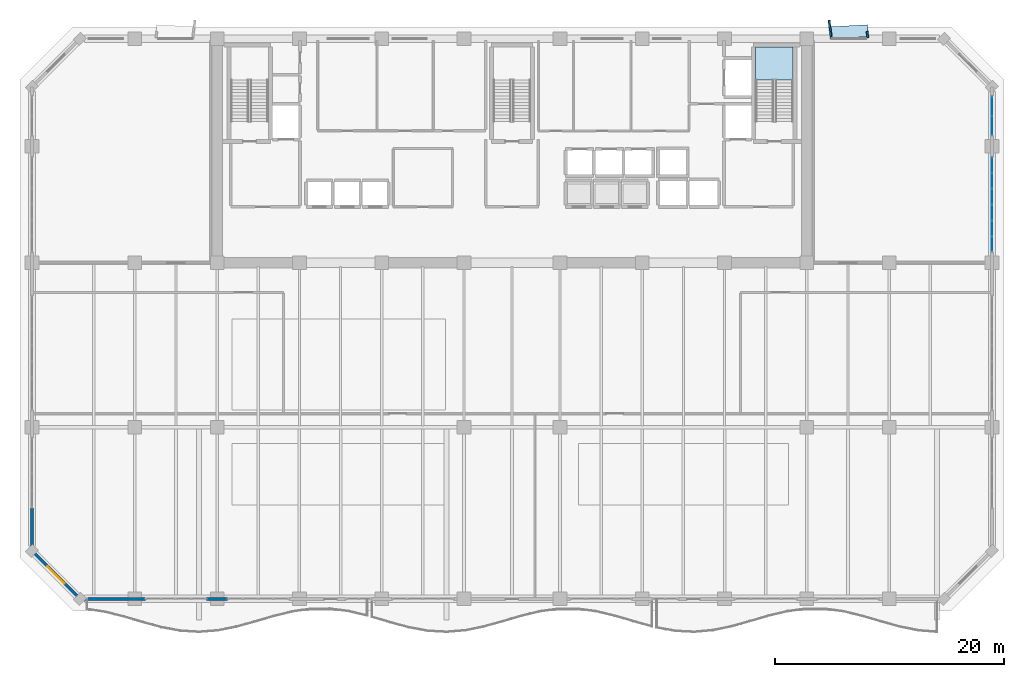
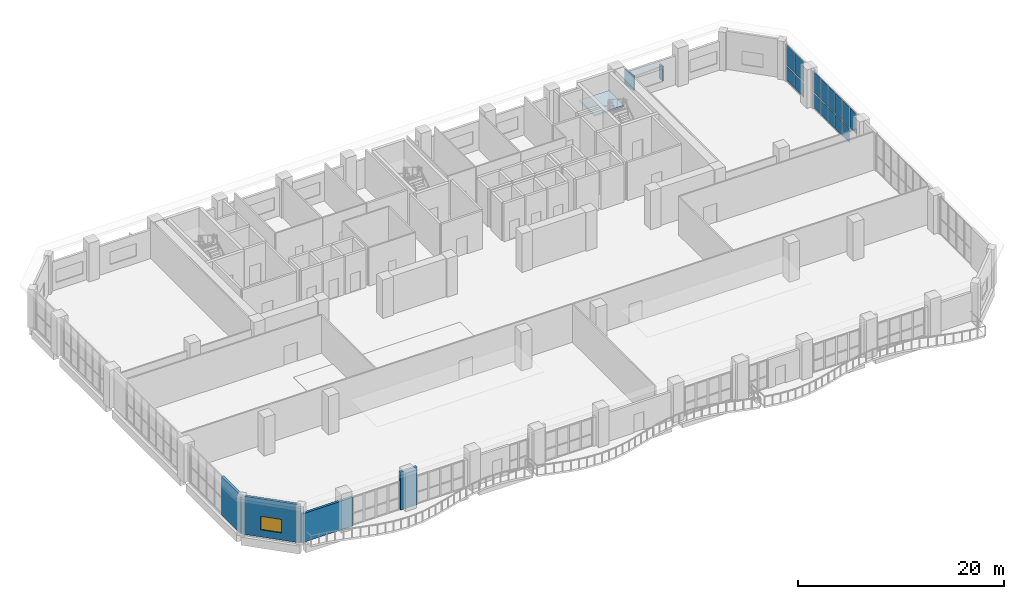
# One storey, part 27 of 37: 18 plates, 4 walls, 1 slab, 1 window, 1 opening, 3 elements without a shape of their own.
"""IFC4 building model written with IfcOpenShell, lengths in metres."""

import ifcopenshell
import ifcopenshell.guid

model = None  # the IFC model being written
_history = None  # IfcOwnerHistory: only IFC2X3 demands one
_inside = {}  # id of a spatial element -> (the spatial element, [elements in it])
_under = {}  # id of a project, library or spatial element -> (it, [spatial elements below it])
_declared = {}  # id of a project -> (the project, [libraries it declares])
_typed = {}  # id of a type object -> (the type object, [elements of that type])
_made_of = {}  # id of a material, layer set ... -> (it, [elements and type objects made of it])


def new_model(schema):
    """Start an empty IFC model of exactly this schema.

    Asked for "IFC4X3", IfcOpenShell would pick the latest addendum, in which some entities
    have other attributes; the version numbers below select the first issue.
    IFC2X3 requires an IfcOwnerHistory on every rooted entity: one is made here for all.
    """
    global model, _history
    if schema == "IFC4X3":
        model = ifcopenshell.file(schema_version=(4, 3, 0, 0))
    else:
        model = ifcopenshell.file(schema=schema)
    _inside.clear()
    _under.clear()
    _declared.clear()
    _typed.clear()
    _made_of.clear()
    _history = None
    if model.schema == "IFC2X3":
        org = make("IfcOrganization", Name="unknown")
        user = make(
            "IfcPersonAndOrganization",
            ThePerson=make("IfcPerson", FamilyName="unknown"),
            TheOrganization=org,
        )
        app = make(
            "IfcApplication",
            ApplicationDeveloper=org,
            Version="unknown",
            ApplicationFullName="unknown",
            ApplicationIdentifier="unknown",
        )
        _history = make(
            "IfcOwnerHistory",
            OwningUser=user,
            OwningApplication=app,
            ChangeAction="ADDED",
            CreationDate=0,
        )
    return model


def make(cls, **values):
    """One entity of the class cls with the attributes given. An attribute that is None is left unset."""
    return model.create_entity(
        cls, **{name: value for name, value in values.items() if value is not None}
    )


def rooted(cls, **values):
    """An entity with a GlobalId (a new one), such as an element, a storey or a relation."""
    return make(cls, GlobalId=ifcopenshell.guid.new(), OwnerHistory=_history, **values)


def si_unit(unit_type, name, prefix=None):
    """IfcSIUnit, for example si_unit("LENGTHUNIT", "METRE", prefix="MILLI")."""
    return make("IfcSIUnit", UnitType=unit_type, Prefix=prefix, Name=name)


def assignment(units):
    """IfcUnitAssignment: the units of a project."""
    return None if units is None else make("IfcUnitAssignment", Units=units)


def point(xyz):
    """IfcCartesianPoint."""
    return None if xyz is None else make("IfcCartesianPoint", Coordinates=xyz)


def direction(xyz):
    """IfcDirection."""
    return None if xyz is None else make("IfcDirection", DirectionRatios=xyz)


def frame(location, z_axis=None, x_axis=None):
    """IfcAxis2Placement3D, a coordinate frame: its origin and axes. An axis left out is left unset."""
    return make(
        "IfcAxis2Placement3D",
        Location=point(location),
        Axis=direction(z_axis),
        RefDirection=direction(x_axis),
    )


def frame_2d(location, x_axis=None):
    """IfcAxis2Placement2D, a coordinate frame in the plane: its origin and x axis."""
    return make(
        "IfcAxis2Placement2D", Location=point(location), RefDirection=direction(x_axis)
    )


def origin():
    """The frame at (0, 0, 0) with its axes left unset."""
    return frame((0.0, 0.0, 0.0))


def origin_2d():
    """The frame at (0, 0) in the plane with its x axis left unset."""
    return frame_2d((0.0, 0.0))


def place(relative_to, where):
    """IfcLocalPlacement: puts the frame where relative to a parent placement (None: the world)."""
    return make(
        "IfcLocalPlacement", PlacementRelTo=relative_to, RelativePlacement=where
    )


def context(
    kind, dimensions, precision=None, world=None, true_north=None, identifier=None
):
    """IfcGeometricRepresentationContext, for example the 3D "Model" context."""
    return make(
        "IfcGeometricRepresentationContext",
        ContextIdentifier=identifier,
        ContextType=kind,
        CoordinateSpaceDimension=dimensions,
        Precision=precision,
        WorldCoordinateSystem=world,
        TrueNorth=true_north,
    )


def subcontext(parent, identifier, kind, view, scale=None):
    """IfcGeometricRepresentationSubContext, for example "Body" below "Model"."""
    return make(
        "IfcGeometricRepresentationSubContext",
        ContextIdentifier=identifier,
        ContextType=kind,
        ParentContext=parent,
        TargetScale=scale,
        TargetView=view,
    )


def project(units=None, contexts=None):
    """IfcProject with its units and contexts."""
    return rooted(
        "IfcProject",
        Name="project",
        RepresentationContexts=contexts,
        UnitsInContext=assignment(units),
    )


def spatial(cls, under=None, at=None, **own):
    """A site, building, storey or space (cls), placed at a placement, below another one or the project."""
    s = rooted(cls, ObjectPlacement=at, **own)
    if under is not None:
        _under.setdefault(under.id(), (under, []))[1].append(s)
    return s


def polyline(points):
    """IfcPolyline through the points."""
    return make("IfcPolyline", Points=[point(p) for p in points])


def profile(cls, at=None, kind="AREA", **sizes):
    """A parametric profile (cls). Its sizes go by their IFC names, for example OverallWidth=200.0."""
    return make(cls, ProfileType=kind, Position=at, **sizes)


def rectangle(**sizes):
    """IfcRectangleProfileDef."""
    return profile("IfcRectangleProfileDef", **sizes)


def outline(outer, holes=None, kind="AREA"):
    """IfcArbitraryClosedProfileDef: a profile drawn as a closed curve; with holes, ...WithVoids."""
    if holes is None:
        return make("IfcArbitraryClosedProfileDef", ProfileType=kind, OuterCurve=outer)
    return make(
        "IfcArbitraryProfileDefWithVoids",
        ProfileType=kind,
        OuterCurve=outer,
        InnerCurves=holes,
    )


def extrude(swept, where, along, depth):
    """IfcExtrudedAreaSolid: the profile swept, set in the frame where, extruded along a direction by depth."""
    return make(
        "IfcExtrudedAreaSolid",
        SweptArea=swept,
        Position=where,
        ExtrudedDirection=direction(along),
        Depth=depth,
    )


def shape(context_of_items, identifier, shape_type, items):
    """IfcShapeRepresentation: the items that make up one representation, for example the "Body"."""
    return make(
        "IfcShapeRepresentation",
        ContextOfItems=context_of_items,
        RepresentationIdentifier=identifier,
        RepresentationType=shape_type,
        Items=items,
    )


def material(Name=None, Category=None):
    """IfcMaterial."""
    return make("IfcMaterial", Name=Name, Category=Category)


def layer(
    of_material, thickness, ventilated=None, Name=None, Category=None, Priority=None
):
    """IfcMaterialLayer: one layer of a wall or slab, of a material (None: an air gap)."""
    return make(
        "IfcMaterialLayer",
        Material=of_material,
        LayerThickness=thickness,
        IsVentilated=ventilated,
        Name=Name,
        Category=Category,
        Priority=Priority,
    )


def layer_set(layers, Name=None):
    """IfcMaterialLayerSet."""
    return make("IfcMaterialLayerSet", MaterialLayers=layers, LayerSetName=Name)


def made_of(thing, what):
    """Note that an element or type object is made of a material, layer set ...; save() writes the relation."""
    if what is not None:
        _made_of.setdefault(what.id(), (what, []))[1].append(thing)
    return thing


def type_object(cls, material=None, **own):
    """A type object (cls), such as IfcWallType, which elements share."""
    return made_of(rooted(cls, **own), material)


def element(
    cls,
    number,
    at=None,
    inside=None,
    cuts=None,
    type_object=None,
    material=None,
    context=None,
    identifier="Body",
    shape_type=None,
    held_by="IfcProductDefinitionShape",
    body=None,
    shapes=None,
    **own,
):
    """One element of the class cls, such as IfcWall. Its Tag is "e" and its number.

    at: its placement. inside: the storey or other place that contains it. cuts: it is an
    opening in that element (IfcRelVoidsElement). A single representation is given by context,
    identifier, shape_type and body (its items); several are given by shapes. held_by: the class
    of the entity that holds the representations. save() writes the other relations.
    """
    e = rooted(cls, Tag="e%d" % number, ObjectPlacement=at, **own)
    if body is not None:
        shapes = [shape(context, identifier, shape_type, body)]
    if shapes is not None:
        e.Representation = make(held_by, Representations=shapes)
    if inside is not None:
        _inside.setdefault(inside.id(), (inside, []))[1].append(e)
    if cuts is not None:
        rooted(
            "IfcRelVoidsElement", RelatingBuildingElement=cuts, RelatedOpeningElement=e
        )
    if type_object is not None:
        _typed.setdefault(type_object.id(), (type_object, []))[1].append(e)
    return made_of(e, material)


def fill(opening, filler):
    """IfcRelFillsElement: the door or window that sits in an opening."""
    return rooted(
        "IfcRelFillsElement",
        RelatingOpeningElement=opening,
        RelatedBuildingElement=filler,
    )


def aggregate(whole, parts):
    """IfcRelAggregates: a whole, such as a stair, and the parts it consists of."""
    return rooted("IfcRelAggregates", RelatingObject=whole, RelatedObjects=parts)


def save(model, path):
    """Write the relations noted so far, then the file.

    IfcRelAggregates (storeys below a building ...), IfcRelContainedInSpatialStructure (elements
    in a storey), IfcRelDefinesByType, IfcRelAssociatesMaterial and IfcRelDeclares: one each for
    every whole, place, type object, material and project.
    """
    for whole, parts in _under.values():
        aggregate(whole, parts)
    for where, things in _inside.values():
        rooted(
            "IfcRelContainedInSpatialStructure",
            RelatedElements=things,
            RelatingStructure=where,
        )
    for kind, things in _typed.values():
        rooted("IfcRelDefinesByType", RelatedObjects=things, RelatingType=kind)
    for what, things in _made_of.values():
        rooted("IfcRelAssociatesMaterial", RelatedObjects=things, RelatingMaterial=what)
    for by, libraries in _declared.values():
        rooted("IfcRelDeclares", RelatingContext=by, RelatedDefinitions=libraries)
    model.write(path)


model = new_model("IFC4")

# Units and contexts
model_context = context("Model", 3, precision=1e-05, world=origin(), true_north=direction((0.0, 1.0)))
body_context = subcontext(model_context, "Body", "Model", "MODEL_VIEW")
ifc_project = project(units=[si_unit("LENGTHUNIT", "METRE"), si_unit("AREAUNIT", "SQUARE_METRE"), si_unit("VOLUMEUNIT", "CUBIC_METRE"), si_unit("PLANEANGLEUNIT", "RADIAN"), si_unit("MASSUNIT", "GRAM", prefix="KILO")], contexts=[model_context])

# Site, building, storey
site_placement = place(None, origin())
site = spatial("IfcSite", under=ifc_project, at=site_placement, CompositionType="ELEMENT")
building_placement = place(site_placement, origin())
building = spatial("IfcBuilding", under=site, at=building_placement, Name="Kaelvorn Grand Hotel", CompositionType="ELEMENT")
storey_placement = place(building_placement, frame((0.0, 0.0, 130.550048828125)))
storey = spatial("IfcBuildingStorey", under=building, at=storey_placement, Name="L31", CompositionType="ELEMENT", Elevation=130.550048828125)

# Curtain wall, plates
ifc_material_1 = material(Name="Anodised Aluminium", Category="aluminium")
ifc_layer_1 = layer(ifc_material_1, 0.199951171875)
ifc_layer_set_1 = layer_set([ifc_layer_1], Name="Anodised Aluminium")
curtain_wall_type = type_object("IfcCurtainWallType", Name="CW-SYS3", PredefinedType="NOTDEFINED", material=ifc_layer_set_1)
curtain_wall_1_placement = place(storey_placement, origin())
curtain_wall_1 = element("IfcCurtainWall", 1, at=curtain_wall_1_placement, inside=storey, type_object=curtain_wall_type, Name="L31 Unitised Curtain Wall CW3 (CW-L31-E-03)", PredefinedType="NOTDEFINED")
ifc_material_2 = material(Name="Laminated Low-E Glass", Category="glass")
ifc_layer_2 = layer(ifc_material_2, 0.030029296875)
ifc_layer_set_2 = layer_set([ifc_layer_2], Name="Laminated Low-E Glass")
plate_type_1 = type_object("IfcPlateType", Name="CW-SYS3-PAN", PredefinedType="CURTAIN_PANEL", material=ifc_layer_set_2)
plate_1_placement = place(storey_placement, frame((84.0, 31.035400390625, 1.9658203125), z_axis=(0.0, 0.0, 1.0), x_axis=(0.0, 1.0, 0.0)))
plate_1 = element("IfcPlate", 2, at=plate_1_placement, type_object=plate_type_1, Name="CW3 panel 1.2", PredefinedType="CURTAIN_PANEL", context=body_context, shape_type="SweptSolid", body=[
    extrude(rectangle(XDim=1.28076171875, YDim=0.030029296875, at=origin_2d()), origin(), (0.0, 0.0, 1.0), 2.419189453125),
])
plate_2_placement = place(storey_placement, frame((84.0, 32.409912109375, 0.135009765625), z_axis=(0.0, 0.0, 1.0), x_axis=(0.0, 1.0, 0.0)))
plate_2 = element("IfcPlate", 3, at=plate_2_placement, type_object=plate_type_1, Name="CW3 panel 2.1", PredefinedType="CURTAIN_PANEL", context=body_context, shape_type="SweptSolid", body=[
    extrude(rectangle(XDim=1.318359375, YDim=0.030029296875, at=origin_2d()), origin(), (0.0, 0.0, 1.0), 1.69580078125),
])
plate_3_placement = place(storey_placement, frame((84.0, 32.409912109375, 1.9658203125), z_axis=(0.0, 0.0, 1.0), x_axis=(0.0, 1.0, 0.0)))
plate_3 = element("IfcPlate", 4, at=plate_3_placement, type_object=plate_type_1, Name="CW3 panel 2.2", PredefinedType="CURTAIN_PANEL", context=body_context, shape_type="SweptSolid", body=[
    extrude(rectangle(XDim=1.318359375, YDim=0.030029296875, at=origin_2d()), origin(), (0.0, 0.0, 1.0), 2.419189453125),
])
plate_4_placement = place(storey_placement, frame((84.0, 33.80322265625, 0.135009765625), z_axis=(0.0, 0.0, 1.0), x_axis=(0.0, 1.0, 0.0)))
plate_4 = element("IfcPlate", 5, at=plate_4_placement, type_object=plate_type_1, Name="CW3 panel 3.1", PredefinedType="CURTAIN_PANEL", context=body_context, shape_type="SweptSolid", body=[
    extrude(rectangle(XDim=1.318359375, YDim=0.030029296875, at=origin_2d()), origin(), (0.0, 0.0, 1.0), 1.69580078125),
])
plate_5_placement = place(storey_placement, frame((84.0, 33.80322265625, 1.9658203125), z_axis=(0.0, 0.0, 1.0), x_axis=(0.0, 1.0, 0.0)))
plate_5 = element("IfcPlate", 6, at=plate_5_placement, type_object=plate_type_1, Name="CW3 panel 3.2", PredefinedType="CURTAIN_PANEL", context=body_context, shape_type="SweptSolid", body=[
    extrude(rectangle(XDim=1.318359375, YDim=0.030029296875, at=origin_2d()), origin(), (0.0, 0.0, 1.0), 2.419189453125),
])
plate_6_placement = place(storey_placement, frame((84.0, 35.19677734375, 0.135009765625), z_axis=(0.0, 0.0, 1.0), x_axis=(0.0, 1.0, 0.0)))
plate_6 = element("IfcPlate", 7, at=plate_6_placement, type_object=plate_type_1, Name="CW3 panel 4.1", PredefinedType="CURTAIN_PANEL", context=body_context, shape_type="SweptSolid", body=[
    extrude(rectangle(XDim=1.318359375, YDim=0.030029296875, at=origin_2d()), origin(), (0.0, 0.0, 1.0), 1.69580078125),
])
plate_7_placement = place(storey_placement, frame((84.0, 35.19677734375, 1.9658203125), z_axis=(0.0, 0.0, 1.0), x_axis=(0.0, 1.0, 0.0)))
plate_7 = element("IfcPlate", 8, at=plate_7_placement, type_object=plate_type_1, Name="CW3 panel 4.2", PredefinedType="CURTAIN_PANEL", context=body_context, shape_type="SweptSolid", body=[
    extrude(rectangle(XDim=1.318359375, YDim=0.030029296875, at=origin_2d()), origin(), (0.0, 0.0, 1.0), 2.419189453125),
])
plate_8_placement = place(storey_placement, frame((84.0, 36.590087890625, 0.135009765625), z_axis=(0.0, 0.0, 1.0), x_axis=(0.0, 1.0, 0.0)))
plate_8 = element("IfcPlate", 9, at=plate_8_placement, type_object=plate_type_1, Name="CW3 panel 5.1", PredefinedType="CURTAIN_PANEL", context=body_context, shape_type="SweptSolid", body=[
    extrude(rectangle(XDim=1.318359375, YDim=0.030029296875, at=origin_2d()), origin(), (0.0, 0.0, 1.0), 1.69580078125),
])
plate_9_placement = place(storey_placement, frame((84.0, 36.590087890625, 1.9658203125), z_axis=(0.0, 0.0, 1.0), x_axis=(0.0, 1.0, 0.0)))
plate_9 = element("IfcPlate", 10, at=plate_9_placement, type_object=plate_type_1, Name="CW3 panel 5.2", PredefinedType="CURTAIN_PANEL", context=body_context, shape_type="SweptSolid", body=[
    extrude(rectangle(XDim=1.318359375, YDim=0.030029296875, at=origin_2d()), origin(), (0.0, 0.0, 1.0), 2.419189453125),
])
plate_10_placement = place(storey_placement, frame((84.0, 37.964599609375, 0.135009765625), z_axis=(0.0, 0.0, 1.0), x_axis=(0.0, 1.0, 0.0)))
plate_10 = element("IfcPlate", 11, at=plate_10_placement, type_object=plate_type_1, Name="CW3 panel 6.1", PredefinedType="CURTAIN_PANEL", context=body_context, shape_type="SweptSolid", body=[
    extrude(rectangle(XDim=1.28076171875, YDim=0.030029296875, at=origin_2d()), origin(), (0.0, 0.0, 1.0), 1.69580078125),
])
plate_11_placement = place(storey_placement, frame((84.0, 37.964599609375, 1.9658203125), z_axis=(0.0, 0.0, 1.0), x_axis=(0.0, 1.0, 0.0)))
plate_11 = element("IfcPlate", 12, at=plate_11_placement, type_object=plate_type_1, Name="CW3 panel 6.2", PredefinedType="CURTAIN_PANEL", context=body_context, shape_type="SweptSolid", body=[
    extrude(rectangle(XDim=1.28076171875, YDim=0.030029296875, at=origin_2d()), origin(), (0.0, 0.0, 1.0), 2.419189453125),
])
aggregate(curtain_wall_1, [plate_1, plate_2, plate_3, plate_4, plate_5, plate_6, plate_7, plate_8, plate_9, plate_10, plate_11])

curtain_wall_2_placement = place(storey_placement, origin())
curtain_wall_2 = element("IfcCurtainWall", 13, at=curtain_wall_2_placement, inside=storey, type_object=curtain_wall_type, Name="L31 Unitised Curtain Wall CW3 (CW-L31-E-04)", PredefinedType="NOTDEFINED")
plate_12_placement = place(storey_placement, frame((84.0, 41.40869140625, 0.135009765625), z_axis=(0.0, 0.0, 1.0), x_axis=(0.0, 1.0, 0.0)))
plate_12 = element("IfcPlate", 14, at=plate_12_placement, type_object=plate_type_1, Name="CW3 panel 1.1", PredefinedType="CURTAIN_PANEL", context=body_context, shape_type="SweptSolid", body=[
    extrude(rectangle(XDim=1.62744140625, YDim=0.030029296875, at=origin_2d()), origin(), (0.0, 0.0, 1.0), 1.69580078125),
])
plate_13_placement = place(storey_placement, frame((84.0, 41.40869140625, 1.9658203125), z_axis=(0.0, 0.0, 1.0), x_axis=(0.0, 1.0, 0.0)))
plate_13 = element("IfcPlate", 15, at=plate_13_placement, type_object=plate_type_1, Name="CW3 panel 1.2", PredefinedType="CURTAIN_PANEL", context=body_context, shape_type="SweptSolid", body=[
    extrude(rectangle(XDim=1.62744140625, YDim=0.030029296875, at=origin_2d()), origin(), (0.0, 0.0, 1.0), 2.419189453125),
])
plate_14_placement = place(storey_placement, frame((84.0, 43.111328125, 0.135009765625), z_axis=(0.0, 0.0, 1.0), x_axis=(0.0, 1.0, 0.0)))
plate_14 = element("IfcPlate", 16, at=plate_14_placement, type_object=plate_type_1, Name="CW3 panel 2.1", PredefinedType="CURTAIN_PANEL", context=body_context, shape_type="SweptSolid", body=[
    extrude(rectangle(XDim=1.62744140625, YDim=0.030029296875, at=origin_2d()), origin(), (0.0, 0.0, 1.0), 1.69580078125),
])
plate_15_placement = place(storey_placement, frame((84.0, 43.111328125, 1.9658203125), z_axis=(0.0, 0.0, 1.0), x_axis=(0.0, 1.0, 0.0)))
plate_15 = element("IfcPlate", 17, at=plate_15_placement, type_object=plate_type_1, Name="CW3 panel 2.2", PredefinedType="CURTAIN_PANEL", context=body_context, shape_type="SweptSolid", body=[
    extrude(rectangle(XDim=1.62744140625, YDim=0.030029296875, at=origin_2d()), origin(), (0.0, 0.0, 1.0), 2.419189453125),
])
aggregate(curtain_wall_2, [plate_12, plate_13, plate_14, plate_15])

# Plates
ifc_material_3 = material(Name="Precast concrete C45/55", Category="concrete")
ifc_layer_3 = layer(ifc_material_3, 0.159912109375)
ifc_layer_set_3 = layer_set([ifc_layer_3], Name="Precast concrete C45/55")
plate_type_2 = type_object("IfcPlateType", Name="PL-FRAME-DEEP-1550", PredefinedType="USERDEFINED", material=ifc_layer_set_3)
plate_16_placement = place(storey_placement, frame((69.8349609375, 49.864990234375, 0.73974609375), z_axis=(0.0, 0.0, 1.0), x_axis=(0.992546151641, 0.121869343405, 0.0)))
element("IfcPlate", 18, at=plate_16_placement, inside=storey, type_object=plate_type_2, Name="L31 Tilted Precast Window Frame Fin L-N03", ObjectType="FLANGE_PLATE", PredefinedType="USERDEFINED", context=body_context, shape_type="SweptSolid", body=[
    extrude(rectangle(XDim=0.159912109375, YDim=1.550048828125, at=origin_2d()), origin(), (0.0, 0.0, 1.0), 1.719970703125),
])
ifc_layer_4 = layer(ifc_material_3, 0.159912109375)
ifc_layer_set_4 = layer_set([ifc_layer_4], Name="Precast concrete C45/55")
plate_type_3 = type_object("IfcPlateType", Name="PL-FRAME-HEAD-1050", PredefinedType="USERDEFINED", material=ifc_layer_set_4)
plate_17_placement = place(storey_placement, frame((71.47509765625, 49.614990234375, 2.35009765625), z_axis=(0.0, 0.0, 1.0), x_axis=(0.998489097451, 0.054950179912, 0.0)))
element("IfcPlate", 19, at=plate_17_placement, inside=storey, type_object=plate_type_3, Name="L31 Precast Window Frame Head Hood H-N03", ObjectType="FLANGE_PLATE", PredefinedType="USERDEFINED", context=body_context, shape_type="SweptSolid", body=[
    extrude(rectangle(XDim=3.320068359375, YDim=1.050048828125, at=origin_2d()), origin(), (0.0, 0.0, 1.0), 0.159912109375),
])
ifc_layer_5 = layer(ifc_material_3, 0.159912109375)
ifc_layer_set_5 = layer_set([ifc_layer_5], Name="Precast concrete C45/55")
plate_type_4 = type_object("IfcPlateType", Name="PL-FRAME-SHAL-550", PredefinedType="USERDEFINED", material=ifc_layer_set_5)
plate_18_placement = place(storey_placement, frame((73.114990234375, 49.364990234375, 0.73974609375), z_axis=(0.0, 0.0, 1.0), x_axis=(0.992546151641, 0.121869343405, 0.0)))
element("IfcPlate", 20, at=plate_18_placement, inside=storey, type_object=plate_type_4, Name="L31 Tilted Precast Window Frame Fin R-N03", ObjectType="FLANGE_PLATE", PredefinedType="USERDEFINED", context=body_context, shape_type="SweptSolid", body=[
    extrude(rectangle(XDim=0.159912109375, YDim=0.550048828125, at=origin_2d()), origin(), (0.0, 0.0, 1.0), 1.719970703125),
])

# Stair, slab
ifc_material_4 = material(Name="Concrete C40/50", Category="concrete")
stair_type = type_object("IfcStairType", Name="STR-DOG-1560-R07", PredefinedType="HALF_TURN_STAIR", material=ifc_material_4)
stair_placement = place(storey_placement, origin())
stair = element("IfcStair", 21, at=stair_placement, inside=storey, type_object=stair_type, Name="L31 East Core Exit Stair ST3", PredefinedType="HALF_TURN_STAIR")
ifc_layer_6 = layer(ifc_material_4, 0.199951171875)
ifc_layer_set_6 = layer_set([ifc_layer_6], Name="Concrete C40/50")
slab_type = type_object("IfcSlabType", Name="SLB-LAND-200-C40", PredefinedType="LANDING", material=ifc_layer_set_6)
slab_placement = place(storey_placement, frame((0.0, 0.0, 2.199951171875)))
slab = element("IfcSlab", 22, at=slab_placement, type_object=slab_type, Name="ST3 landing 1", PredefinedType="LANDING", context=body_context, shape_type="SweptSolid", body=[
    extrude(outline(polyline([(66.60009765625, 45.39990234375), (66.60009765625, 48.300048828125), (63.320068359375, 48.300048828125), (63.320068359375, 45.39990234375), (66.60009765625, 45.39990234375)])), origin(), (0.0, 0.0, 1.0), 0.199951171875),
])
aggregate(stair, [slab])

# Walls
ifc_layer_7 = layer(ifc_material_4, 0.260009765625)
ifc_layer_set_7 = layer_set([ifc_layer_7], Name="Concrete C40/50")
wall_type = type_object("IfcWallType", Name="WL-EXT-260-C40", PredefinedType="SOLIDWALL", material=ifc_layer_set_7)
wall_1_placement = place(storey_placement, frame((4.199951171875, 0.0, 0.0), z_axis=(0.0, 0.0, 1.0), x_axis=(1.0, 0.0, 0.0)))
element("IfcWall", 23, at=wall_1_placement, inside=storey, type_object=wall_type, Name="L31 Exterior Architectural Concrete Wall 01 Pier 1", PredefinedType="SOLIDWALL", context=body_context, shape_type="SweptSolid", body=[
    extrude(rectangle(XDim=5.72509765625, YDim=0.260009765625, at=frame_2d((2.862548828125, 0.0))), origin(), (0.0, 0.0, 1.0), 3.39990234375),
])
wall_2_placement = place(storey_placement, frame((15.27490234375, 0.0, 0.0), z_axis=(0.0, 0.0, 1.0), x_axis=(1.0, 0.0, 0.0)))
element("IfcWall", 24, at=wall_2_placement, inside=storey, type_object=wall_type, Name="L31 Exterior Architectural Concrete Wall 01 Pier 2", PredefinedType="SOLIDWALL", context=body_context, shape_type="SweptSolid", body=[
    extrude(rectangle(XDim=1.85009765625, YDim=0.260009765625, at=frame_2d((0.925048828125, 0.0))), origin(), (0.0, 0.0, 1.0), 4.52001953125),
])
wall_3_placement = place(storey_placement, frame((0.0, 7.925048828125, 0.0), z_axis=(0.0, 0.0, 1.0), x_axis=(0.0, -1.0, 0.0)))
element("IfcWall", 25, at=wall_3_placement, inside=storey, type_object=wall_type, Name="L31 Exterior Architectural Concrete Wall 07 Pier 5", PredefinedType="SOLIDWALL", context=body_context, shape_type="SweptSolid", body=[
    extrude(rectangle(XDim=3.72509765625, YDim=0.260009765625, at=frame_2d((1.862548828125, 0.0))), origin(), (0.0, 0.0, 1.0), 4.52001953125),
])

# Wall, opening, window
wall_4_placement = place(storey_placement, frame((0.0, 4.199951171875, 0.0), z_axis=(0.0, 0.0, 1.0), x_axis=(0.707106781187, -0.707106781187, 0.0)))
wall_4 = element("IfcWall", 26, at=wall_4_placement, inside=storey, type_object=wall_type, Name="L31 Exterior Architectural Concrete Wall 08", PredefinedType="SOLIDWALL", context=body_context, shape_type="SweptSolid", body=[
    extrude(rectangle(XDim=5.939697265625, YDim=0.260009765625, at=frame_2d((2.9697265625, 0.0))), origin(), (0.0, 0.0, 1.0), 4.52001953125),
])
opening_placement = place(wall_4_placement, frame((1.919921875, 0.0, 0.85009765625)))
opening = element("IfcOpeningElement", 27, at=opening_placement, cuts=wall_4, Name="Opening W7", PredefinedType="OPENING", context=body_context, shape_type="SweptSolid", body=[
    extrude(rectangle(XDim=2.10009765625, YDim=1.60009765625, at=frame_2d((1.050048828125, 0.800048828125))), frame((0.0, 0.14013671875, 0.0), z_axis=(0.0, -1.0, 0.0), x_axis=(1.0, 0.0, 0.0)), (0.0, 0.0, 1.0), 0.280029296875),
])
window_type = type_object("IfcWindowType", Name="WIN-CHM-2100x1600", PartitioningType="SINGLE_PANEL", PredefinedType="WINDOW", material=ifc_material_2)
window_placement = place(opening_placement, origin())
window = element("IfcWindow", 28, at=window_placement, inside=storey, type_object=window_type, Name="L31 Chamfered 45-Degree Corner Window SW", OverallHeight=1.60009765625, OverallWidth=2.10009765625, PartitioningType="SINGLE_PANEL", PredefinedType="WINDOW", context=body_context, shape_type="SweptSolid", body=[
    extrude(rectangle(XDim=2.10009765625, YDim=1.60009765625, at=frame_2d((1.050048828125, 0.800048828125))), frame((0.0, 0.030029296875, 0.0), z_axis=(0.0, -1.0, 0.0), x_axis=(1.0, 0.0, 0.0)), (0.0, 0.0, 1.0), 0.06005859375),
])
fill(opening, window)

save(model, "model.ifc")
